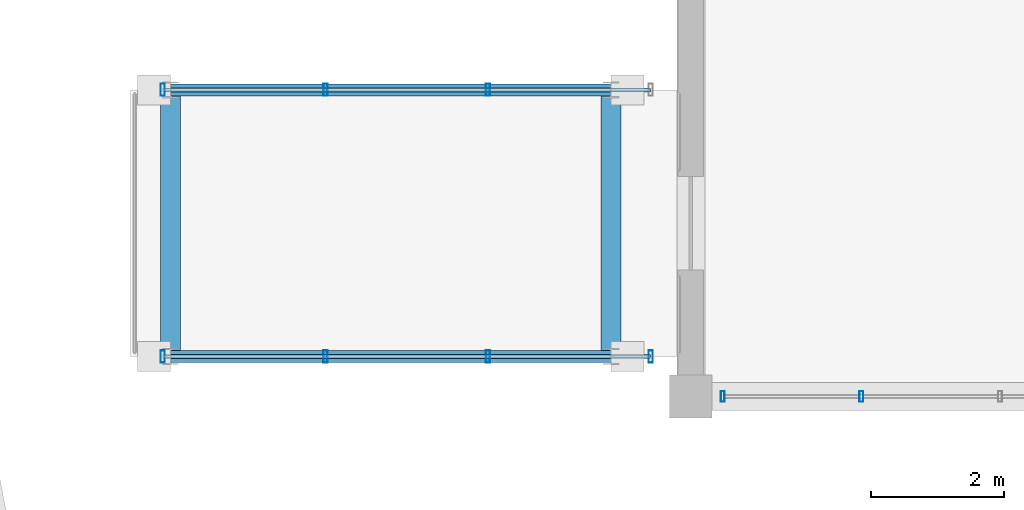
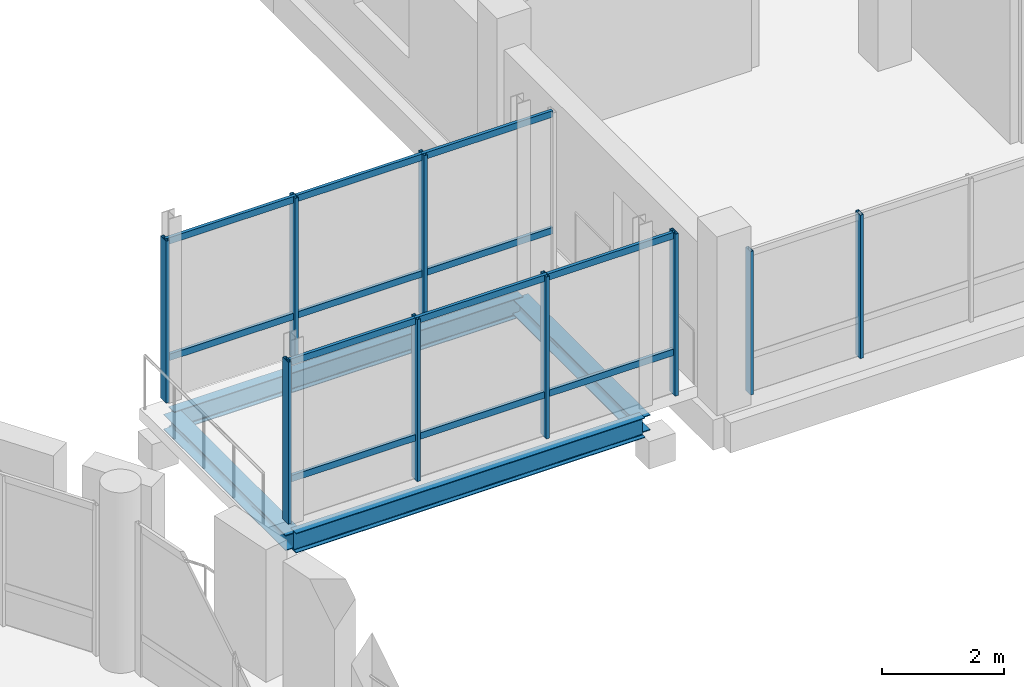
# One storey, part 83 of 128: 13 members, 4 beams, 3 elements without a shape of their own.
"""IFC4 building model written with IfcOpenShell, lengths in metres."""

from ifc_helpers import new_model, si_unit, direction, frame, origin, origin_2d, place, context, subcontext, project, spatial, hollow_rectangle, i_section, extrude, material, material_profile, profile_set, type_object, element, aggregate, save


model = new_model("IFC4")

# Units and contexts
model_context = context("Model", 3, precision=1e-05, world=origin(), true_north=direction((0.0, 1.0)))
body_context = subcontext(model_context, "Body", "Model", "MODEL_VIEW")
ifc_project = project(units=[si_unit("LENGTHUNIT", "METRE"), si_unit("AREAUNIT", "SQUARE_METRE"), si_unit("VOLUMEUNIT", "CUBIC_METRE"), si_unit("PLANEANGLEUNIT", "RADIAN"), si_unit("MASSUNIT", "GRAM", prefix="KILO")], contexts=[model_context])

# Site, building, storey
site_placement = place(None, origin())
site = spatial("IfcSite", under=ifc_project, at=site_placement, CompositionType="ELEMENT")
building_placement = place(site_placement, origin())
building = spatial("IfcBuilding", under=site, at=building_placement, Name="Zornivar Specialist Clinic", CompositionType="ELEMENT")
storey_placement = place(building_placement, frame((0.0, 0.0, 4.5)))
storey = spatial("IfcBuildingStorey", under=building, at=storey_placement, Name="L01", CompositionType="ELEMENT", Elevation=4.5)

# Beams
ifc_material_1 = material(Name="Steel S355J2", Category="steel")
ifc_material_profile_1 = material_profile(ifc_material_1, i_section(OverallWidth=0.300048828125, OverallDepth=0.31005859375, WebThickness=0.009033203125, FlangeThickness=0.015380859375, FilletRadius=0.027099609375, at=origin_2d()), Name="HEA 320")
ifc_profile_set_1 = profile_set([ifc_material_profile_1], Name="Steel S355J2")
beam_type_1 = type_object("IfcBeamType", Name="BM-STL-HEA320", PredefinedType="BEAM", material=ifc_profile_set_1)
for number, where, z_axis, x_axis, name in (
    (1, (129.0, 65.39990234375, -0.429931640625), (0.0, 1.0, 0.0), (-1.0, 0.0, 0.0), "bm:BR3:L01:t:1290"),
    (2, (135.60009765625, 65.39990234375, -0.429931640625), (0.0, 1.0, 0.0), (-1.0, 0.0, 0.0), "bm:BR3:L01:t:1356"),
):
    element("IfcBeam", number, at=place(storey_placement, frame(where, z_axis=z_axis, x_axis=x_axis)), inside=storey, type_object=beam_type_1, Name=name, PredefinedType="BEAM", context=body_context, shape_type="SweptSolid", body=[
        extrude(i_section(OverallWidth=0.300048828125, OverallDepth=0.31005859375, WebThickness=0.009033203125, FlangeThickness=0.015380859375, FilletRadius=0.027099609375, at=origin_2d()), origin(), (0.0, 0.0, 1.0), 4.0),
    ])
ifc_material_2 = material(Name="Steel S355J2", Category="steel")
ifc_material_profile_2 = material_profile(ifc_material_2, i_section(OverallWidth=0.179931640625, OverallDepth=0.39990234375, WebThickness=0.008544921875, FlangeThickness=0.013427734375, FilletRadius=0.02099609375, at=origin_2d()), Name="IPE 400")
ifc_profile_set_2 = profile_set([ifc_material_profile_2], Name="Steel S355J2")
beam_type_2 = type_object("IfcBeamType", Name="BM-STL-IPE400", PredefinedType="BEAM", material=ifc_profile_set_2)
for number, where, z_axis, x_axis, name in (
    (3, (129.0, 65.39990234375, -0.429931640625), (1.0, 0.0, 0.0), (0.0, 1.0, 0.0), "bm:BR3:L01:g:654:0"),
    (4, (129.0, 69.39990234375, -0.429931640625), (1.0, 0.0, 0.0), (0.0, 1.0, 0.0), "bm:BR3:L01:g:694:0"),
):
    element("IfcBeam", number, at=place(storey_placement, frame(where, z_axis=z_axis, x_axis=x_axis)), inside=storey, type_object=beam_type_2, Name=name, PredefinedType="BEAM", context=body_context, shape_type="SweptSolid", body=[
        extrude(i_section(OverallWidth=0.179931640625, OverallDepth=0.39990234375, WebThickness=0.008544921875, FlangeThickness=0.013427734375, FilletRadius=0.02099609375, at=origin_2d()), origin(), (0.0, 0.0, 1.0), 6.60009765625),
    ])

# Curtain wall, members
ifc_material_3 = material(Name="Aluminium and Low-E Glass Curtain Wall", Category="aluminium")
curtain_wall_type_1 = type_object("IfcCurtainWallType", Name="CW-LAB-NORTH", PredefinedType="NOTDEFINED", material=ifc_material_3)
curtain_wall_1_placement = place(storey_placement, origin())
curtain_wall_1 = element("IfcCurtainWall", 5, at=curtain_wall_1_placement, inside=storey, type_object=curtain_wall_type_1, Name="cw:V6:L01:00", PredefinedType="NOTDEFINED")
ifc_material_4 = material(Name="Aluminium AW-6060", Category="aluminium")
ifc_material_profile_3 = material_profile(ifc_material_4, hollow_rectangle(XDim=0.06005859375, YDim=0.159912109375, WallThickness=0.00390625, at=origin_2d()), Name="ALU 60x160x4")
ifc_profile_set_3 = profile_set([ifc_material_profile_3], Name="Aluminium AW-6060")
member_type_1 = type_object("IfcMemberType", Name="CWM-MUL-160", PredefinedType="MULLION", material=ifc_profile_set_3)
member_1_placement = place(storey_placement, frame((137.280029296875, 64.800048828125, 0.0), z_axis=(0.0, 0.0, 1.0), x_axis=(1.0, 0.0, 0.0)))
member_1 = element("IfcMember", 6, at=member_1_placement, type_object=member_type_1, Name="cw:V6:L01:00:mul:0", PredefinedType="MULLION", context=body_context, shape_type="SweptSolid", body=[
    extrude(hollow_rectangle(XDim=0.06005859375, YDim=0.159912109375, WallThickness=0.00390625, at=origin_2d()), origin(), (0.0, 0.0, 1.0), 2.8701171875),
])
member_2_placement = place(storey_placement, frame((139.360107421875, 64.800048828125, 0.0), z_axis=(0.0, 0.0, 1.0), x_axis=(1.0, 0.0, 0.0)))
member_2 = element("IfcMember", 7, at=member_2_placement, type_object=member_type_1, Name="cw:V6:L01:00:mul:1", PredefinedType="MULLION", context=body_context, shape_type="SweptSolid", body=[
    extrude(hollow_rectangle(XDim=0.06005859375, YDim=0.159912109375, WallThickness=0.00390625, at=origin_2d()), origin(), (0.0, 0.0, 1.0), 2.8701171875),
])
aggregate(curtain_wall_1, [member_1, member_2])

ifc_material_5 = material(Name="Aluminium and Low-E Glass Curtain Wall", Category="aluminium")
curtain_wall_type_2 = type_object("IfcCurtainWallType", Name="CW-BRIDGE-LINK", PredefinedType="NOTDEFINED", material=ifc_material_5)
curtain_wall_2_placement = place(storey_placement, origin())
curtain_wall_2 = element("IfcCurtainWall", 8, at=curtain_wall_2_placement, inside=storey, type_object=curtain_wall_type_2, Name="cw:BR3:L01:S:0", PredefinedType="NOTDEFINED")
ifc_material_6 = material(Name="Aluminium AW-6060", Category="aluminium")
ifc_material_profile_4 = material_profile(ifc_material_6, hollow_rectangle(XDim=0.06494140625, YDim=0.18505859375, WallThickness=0.00439453125, at=origin_2d()), Name="ALU 65x185x4.5")
ifc_profile_set_4 = profile_set([ifc_material_profile_4], Name="Aluminium AW-6060")
member_type_2 = type_object("IfcMemberType", Name="CWM-MUL-185", PredefinedType="MULLION", material=ifc_profile_set_4)
member_3_placement = place(storey_placement, frame((128.8798828125, 65.39990234375, 0.0), z_axis=(0.0, 0.0, 1.0), x_axis=(1.0, 0.0, 0.0)))
member_3 = element("IfcMember", 9, at=member_3_placement, type_object=member_type_2, Name="cw:BR3:L01:S:0:mul:0", PredefinedType="MULLION", context=body_context, shape_type="SweptSolid", body=[
    extrude(hollow_rectangle(XDim=0.06494140625, YDim=0.18505859375, WallThickness=0.00439453125, at=origin_2d()), origin(), (0.0, 0.0, 1.0), 3.239990234375),
])
member_4_placement = place(storey_placement, frame((131.320068359375, 65.39990234375, 0.0), z_axis=(0.0, 0.0, 1.0), x_axis=(1.0, 0.0, 0.0)))
member_4 = element("IfcMember", 10, at=member_4_placement, type_object=member_type_2, Name="cw:BR3:L01:S:0:mul:1", PredefinedType="MULLION", context=body_context, shape_type="SweptSolid", body=[
    extrude(hollow_rectangle(XDim=0.06494140625, YDim=0.18505859375, WallThickness=0.00439453125, at=origin_2d()), origin(), (0.0, 0.0, 1.0), 3.239990234375),
])
member_5_placement = place(storey_placement, frame((133.760009765625, 65.39990234375, 0.0), z_axis=(0.0, 0.0, 1.0), x_axis=(1.0, 0.0, 0.0)))
member_5 = element("IfcMember", 11, at=member_5_placement, type_object=member_type_2, Name="cw:BR3:L01:S:0:mul:2", PredefinedType="MULLION", context=body_context, shape_type="SweptSolid", body=[
    extrude(hollow_rectangle(XDim=0.06494140625, YDim=0.18505859375, WallThickness=0.00439453125, at=origin_2d()), origin(), (0.0, 0.0, 1.0), 3.239990234375),
])
member_6_placement = place(storey_placement, frame((136.199951171875, 65.39990234375, 0.0), z_axis=(0.0, 0.0, 1.0), x_axis=(1.0, 0.0, 0.0)))
member_6 = element("IfcMember", 12, at=member_6_placement, type_object=member_type_2, Name="cw:BR3:L01:S:0:mul:3", PredefinedType="MULLION", context=body_context, shape_type="SweptSolid", body=[
    extrude(hollow_rectangle(XDim=0.06494140625, YDim=0.18505859375, WallThickness=0.00439453125, at=origin_2d()), origin(), (0.0, 0.0, 1.0), 3.239990234375),
])

curtain_wall_3_placement = place(storey_placement, origin())
curtain_wall_3 = element("IfcCurtainWall", 13, at=curtain_wall_3_placement, inside=storey, type_object=curtain_wall_type_2, Name="cw:BR3:L01:N:0", PredefinedType="NOTDEFINED")
member_7_placement = place(storey_placement, frame((128.8798828125, 69.39990234375, 0.0), z_axis=(0.0, 0.0, 1.0), x_axis=(1.0, 0.0, 0.0)))
member_7 = element("IfcMember", 14, at=member_7_placement, type_object=member_type_2, Name="cw:BR3:L01:N:0:mul:0", PredefinedType="MULLION", context=body_context, shape_type="SweptSolid", body=[
    extrude(hollow_rectangle(XDim=0.06494140625, YDim=0.18505859375, WallThickness=0.00439453125, at=origin_2d()), origin(), (0.0, 0.0, 1.0), 3.239990234375),
])
member_8_placement = place(storey_placement, frame((131.320068359375, 69.39990234375, 0.0), z_axis=(0.0, 0.0, 1.0), x_axis=(1.0, 0.0, 0.0)))
member_8 = element("IfcMember", 15, at=member_8_placement, type_object=member_type_2, Name="cw:BR3:L01:N:0:mul:1", PredefinedType="MULLION", context=body_context, shape_type="SweptSolid", body=[
    extrude(hollow_rectangle(XDim=0.06494140625, YDim=0.18505859375, WallThickness=0.00439453125, at=origin_2d()), origin(), (0.0, 0.0, 1.0), 3.239990234375),
])
member_9_placement = place(storey_placement, frame((133.760009765625, 69.39990234375, 0.0), z_axis=(0.0, 0.0, 1.0), x_axis=(1.0, 0.0, 0.0)))
member_9 = element("IfcMember", 16, at=member_9_placement, type_object=member_type_2, Name="cw:BR3:L01:N:0:mul:2", PredefinedType="MULLION", context=body_context, shape_type="SweptSolid", body=[
    extrude(hollow_rectangle(XDim=0.06494140625, YDim=0.18505859375, WallThickness=0.00439453125, at=origin_2d()), origin(), (0.0, 0.0, 1.0), 3.239990234375),
])

# Member
ifc_material_7 = material(Name="Aluminium AW-6060", Category="aluminium")
ifc_material_profile_5 = material_profile(ifc_material_7, hollow_rectangle(XDim=0.06005859375, YDim=0.1298828125, WallThickness=0.00390625, at=origin_2d()), Name="ALU 60x130x4")
ifc_profile_set_5 = profile_set([ifc_material_profile_5], Name="Aluminium AW-6060")
member_type_3 = type_object("IfcMemberType", Name="CWM-TRN-130", PredefinedType="USERDEFINED", material=ifc_profile_set_5)
member_10_placement = place(storey_placement, frame((128.8798828125, 65.39990234375, 0.842041015625), z_axis=(1.0, 0.0, 0.0), x_axis=(0.0, 1.0, 0.0)))
member_10 = element("IfcMember", 17, at=member_10_placement, type_object=member_type_3, Name="cw:BR3:L01:S:0:trn:0", ObjectType="TRANSOM", PredefinedType="USERDEFINED", context=body_context, shape_type="SweptSolid", body=[
    extrude(hollow_rectangle(XDim=0.06005859375, YDim=0.1298828125, WallThickness=0.00390625, at=origin_2d()), origin(), (0.0, 0.0, 1.0), 7.320068359375),
])

member_11_placement = place(storey_placement, frame((128.8798828125, 65.39990234375, 3.175048828125), z_axis=(1.0, 0.0, 0.0), x_axis=(0.0, 1.0, 0.0)))
member_11 = element("IfcMember", 18, at=member_11_placement, type_object=member_type_3, Name="cw:BR3:L01:S:0:trn:1", ObjectType="TRANSOM", PredefinedType="USERDEFINED", context=body_context, shape_type="SweptSolid", body=[
    extrude(hollow_rectangle(XDim=0.06005859375, YDim=0.1298828125, WallThickness=0.00390625, at=origin_2d()), origin(), (0.0, 0.0, 1.0), 7.320068359375),
])

aggregate(curtain_wall_2, [member_3, member_4, member_5, member_6, member_10, member_11])

member_12_placement = place(storey_placement, frame((128.8798828125, 69.39990234375, 0.842041015625), z_axis=(1.0, 0.0, 0.0), x_axis=(0.0, 1.0, 0.0)))
member_12 = element("IfcMember", 19, at=member_12_placement, type_object=member_type_3, Name="cw:BR3:L01:N:0:trn:0", ObjectType="TRANSOM", PredefinedType="USERDEFINED", context=body_context, shape_type="SweptSolid", body=[
    extrude(hollow_rectangle(XDim=0.06005859375, YDim=0.1298828125, WallThickness=0.00390625, at=origin_2d()), origin(), (0.0, 0.0, 1.0), 7.320068359375),
])

member_13_placement = place(storey_placement, frame((128.8798828125, 69.39990234375, 3.175048828125), z_axis=(1.0, 0.0, 0.0), x_axis=(0.0, 1.0, 0.0)))
member_13 = element("IfcMember", 20, at=member_13_placement, type_object=member_type_3, Name="cw:BR3:L01:N:0:trn:1", ObjectType="TRANSOM", PredefinedType="USERDEFINED", context=body_context, shape_type="SweptSolid", body=[
    extrude(hollow_rectangle(XDim=0.06005859375, YDim=0.1298828125, WallThickness=0.00390625, at=origin_2d()), origin(), (0.0, 0.0, 1.0), 7.320068359375),
])

aggregate(curtain_wall_3, [member_7, member_8, member_9, member_12, member_13])

save(model, "model.ifc")
